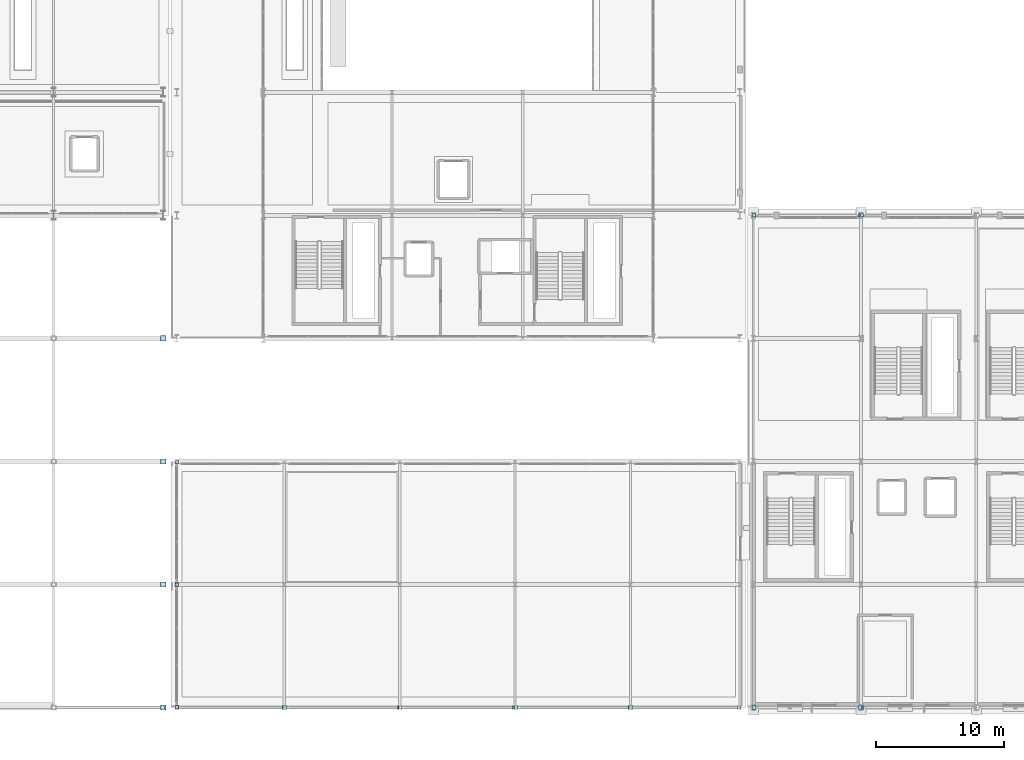
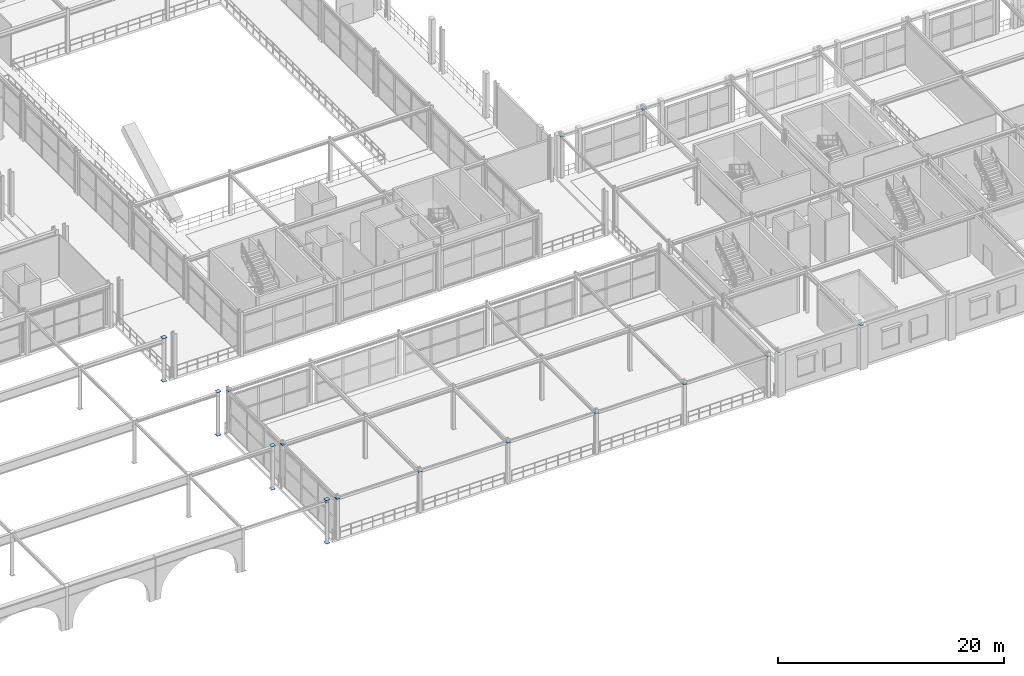
# One storey, part 67 of 125: 29 plates.
"""IFC4 building model written with IfcOpenShell, lengths in metres."""

from ifc_helpers import new_model, si_unit, direction, frame, origin, origin_2d, place, context, subcontext, project, spatial, rectangle, extrude, material, layer, layer_set, type_object, element, save


model = new_model("IFC4")

# Units and contexts
model_context = context("Model", 3, precision=1e-05, world=origin(), true_north=direction((0.0, 1.0)))
body_context = subcontext(model_context, "Body", "Model", "MODEL_VIEW")
ifc_project = project(units=[si_unit("LENGTHUNIT", "METRE"), si_unit("AREAUNIT", "SQUARE_METRE"), si_unit("VOLUMEUNIT", "CUBIC_METRE"), si_unit("PLANEANGLEUNIT", "RADIAN"), si_unit("MASSUNIT", "GRAM", prefix="KILO")], contexts=[model_context])

# Site, building, storey
site_placement = place(None, origin())
site = spatial("IfcSite", under=ifc_project, at=site_placement, CompositionType="ELEMENT")
building_placement = place(site_placement, origin())
building = spatial("IfcBuilding", under=site, at=building_placement, Name="Myrtia Square Station", CompositionType="ELEMENT")
storey_placement = place(building_placement, frame((0.0, 0.0, 6.0)))
storey = spatial("IfcBuildingStorey", under=building, at=storey_placement, Name="L01", CompositionType="ELEMENT", Elevation=6.0)

# Plates
ifc_material = material(Name="Steel S355", Category="steel")
ifc_layer_1 = layer(ifc_material, 0.01611328125, Name="Steel S355")
ifc_layer_set_1 = layer_set([ifc_layer_1], Name="Steel S355")
plate_type_1 = type_object("IfcPlateType", Name="PLT-GUS16", PredefinedType="USERDEFINED", material=ifc_layer_set_1)
for number, where, z_axis, x_axis, name in (
    (1, (71.5, 0.0, 4.39697265625), (0.0, 0.0, 1.0), (1.0, 0.0, 0.0), "Truss node gusset plate SPN-L01-0138-2"),
    (2, (72.64990234375, 0.0, 4.376953125), (0.0, 0.0, 1.0), (1.0, 0.0, 0.0), "Truss node gusset plate SPN-L01-0151-1"),
    (3, (80.949951171875, 0.0, 4.376953125), (0.0, 0.0, 1.0), (1.0, 0.0, 0.0), "Truss node gusset plate SPN-L01-0151-2"),
    (4, (81.050048828125, 0.0, 4.376953125), (0.0, 0.0, 1.0), (1.0, 0.0, 0.0), "Truss node gusset plate SPN-L01-0152-1"),
    (5, (89.949951171875, 0.0, 4.376953125), (0.0, 0.0, 1.0), (1.0, 0.0, 0.0), "Truss node gusset plate SPN-L01-0152-2"),
    (6, (90.050048828125, 0.0, 4.376953125), (0.0, 0.0, 1.0), (1.0, 0.0, 0.0), "Truss node gusset plate SPN-L01-0153-1"),
    (7, (98.949951171875, 0.0, 4.376953125), (0.0, 0.0, 1.0), (1.0, 0.0, 0.0), "Truss node gusset plate SPN-L01-0153-2"),
    (8, (99.050048828125, 0.0, 4.376953125), (0.0, 0.0, 1.0), (1.0, 0.0, 0.0), "Truss node gusset plate SPN-L01-0154-1"),
    (9, (107.949951171875, 0.0, 4.376953125), (0.0, 0.0, 1.0), (1.0, 0.0, 0.0), "Truss node gusset plate SPN-L01-0154-2"),
    (10, (108.050048828125, 0.0, 4.376953125), (0.0, 0.0, 1.0), (1.0, 0.0, 0.0), "Truss node gusset plate SPN-L01-0155-1"),
    (11, (116.5, 0.0, 4.376953125), (0.0, 0.0, 1.0), (1.0, 0.0, 0.0), "Truss node gusset plate SPN-L01-0155-2"),
    (12, (117.64990234375, 0.0, 4.391845703125), (0.0, 0.0, 1.0), (1.0, 0.0, 0.0), "Truss node gusset plate SPN-L01-0156-1"),
    (13, (125.949951171875, 0.0, 4.391845703125), (0.0, 0.0, 1.0), (1.0, 0.0, 0.0), "Truss node gusset plate SPN-L01-0156-2"),
    (14, (126.050048828125, 0.0, 4.391845703125), (0.0, 0.0, 1.0), (1.0, 0.0, 0.0), "Truss node gusset plate SPN-L01-0157-1"),
    (15, (117.64990234375, 38.39990234375, 4.391845703125), (0.0, 0.0, 1.0), (1.0, 0.0, 0.0), "Truss node gusset plate SPN-L01-0163-1"),
    (16, (125.949951171875, 38.39990234375, 4.391845703125), (0.0, 0.0, 1.0), (1.0, 0.0, 0.0), "Truss node gusset plate SPN-L01-0163-2"),
    (17, (126.050048828125, 38.39990234375, 4.391845703125), (0.0, 0.0, 1.0), (1.0, 0.0, 0.0), "Truss node gusset plate SPN-L01-0164-1"),
    (18, (72.60009765625, 0.050048828125, 4.40185546875), (0.0, 0.0, 1.0), (0.0, 1.0, 0.0), "Truss node gusset plate SPNY-L01-0170-1"),
    (19, (72.60009765625, 9.550048828125, 4.40185546875), (0.0, 0.0, 1.0), (0.0, 1.0, 0.0), "Truss node gusset plate SPNY-L01-0170-2"),
    (20, (72.60009765625, 9.64990234375, 4.40185546875), (0.0, 0.0, 1.0), (0.0, 1.0, 0.0), "Truss node gusset plate SPNY-L01-0171-1"),
    (21, (72.60009765625, 19.14990234375, 4.40185546875), (0.0, 0.0, 1.0), (0.0, 1.0, 0.0), "Truss node gusset plate SPNY-L01-0171-2"),
):
    element("IfcPlate", number, at=place(storey_placement, frame(where, z_axis=z_axis, x_axis=x_axis)), inside=storey, type_object=plate_type_1, Name=name, ObjectType="GUSSET PLATE", PredefinedType="USERDEFINED", context=body_context, shape_type="SweptSolid", body=[
        extrude(rectangle(XDim=0.280029296875, YDim=0.280029296875, at=origin_2d()), origin(), (0.0, 0.0, 1.0), 0.01611328125),
    ])
ifc_layer_2 = layer(ifc_material, 0.02001953125, Name="Steel S355")
ifc_layer_set_2 = layer_set([ifc_layer_2], Name="Steel S355")
plate_type_2 = type_object("IfcPlateType", Name="PLT-GUS20", PredefinedType="USERDEFINED", material=ifc_layer_set_2)
for number, where, z_axis, x_axis, name in (
    (22, (71.550048828125, 0.0, -0.010009765625), (0.0, 0.0, 1.0), (1.0, 0.0, 0.0), "Truss node gusset plate COL-L01-0201-1"),
    (23, (71.550048828125, 0.0, 4.669921875), (0.0, 0.0, 1.0), (1.0, 0.0, 0.0), "Truss node gusset plate COL-L01-0201-2"),
    (24, (71.550048828125, 9.60009765625, -0.010009765625), (0.0, 0.0, 1.0), (1.0, 0.0, 0.0), "Truss node gusset plate COL-L01-0204-1"),
    (25, (71.550048828125, 9.60009765625, 4.669921875), (0.0, 0.0, 1.0), (1.0, 0.0, 0.0), "Truss node gusset plate COL-L01-0204-2"),
    (26, (71.550048828125, 19.199951171875, -0.010009765625), (0.0, 0.0, 1.0), (1.0, 0.0, 0.0), "Truss node gusset plate COL-L01-0207-1"),
    (27, (71.550048828125, 19.199951171875, 4.669921875), (0.0, 0.0, 1.0), (1.0, 0.0, 0.0), "Truss node gusset plate COL-L01-0207-2"),
    (28, (71.550048828125, 28.800048828125, -0.010009765625), (0.0, 0.0, 1.0), (1.0, 0.0, 0.0), "Truss node gusset plate COL-L01-0210-1"),
    (29, (71.550048828125, 28.800048828125, 4.669921875), (0.0, 0.0, 1.0), (1.0, 0.0, 0.0), "Truss node gusset plate COL-L01-0210-2"),
):
    element("IfcPlate", number, at=place(storey_placement, frame(where, z_axis=z_axis, x_axis=x_axis)), inside=storey, type_object=plate_type_2, Name=name, ObjectType="GUSSET PLATE", PredefinedType="USERDEFINED", context=body_context, shape_type="SweptSolid", body=[
        extrude(rectangle(XDim=0.419921875, YDim=0.419921875, at=origin_2d()), origin(), (0.0, 0.0, 1.0), 0.02001953125),
    ])

save(model, "model.ifc")
